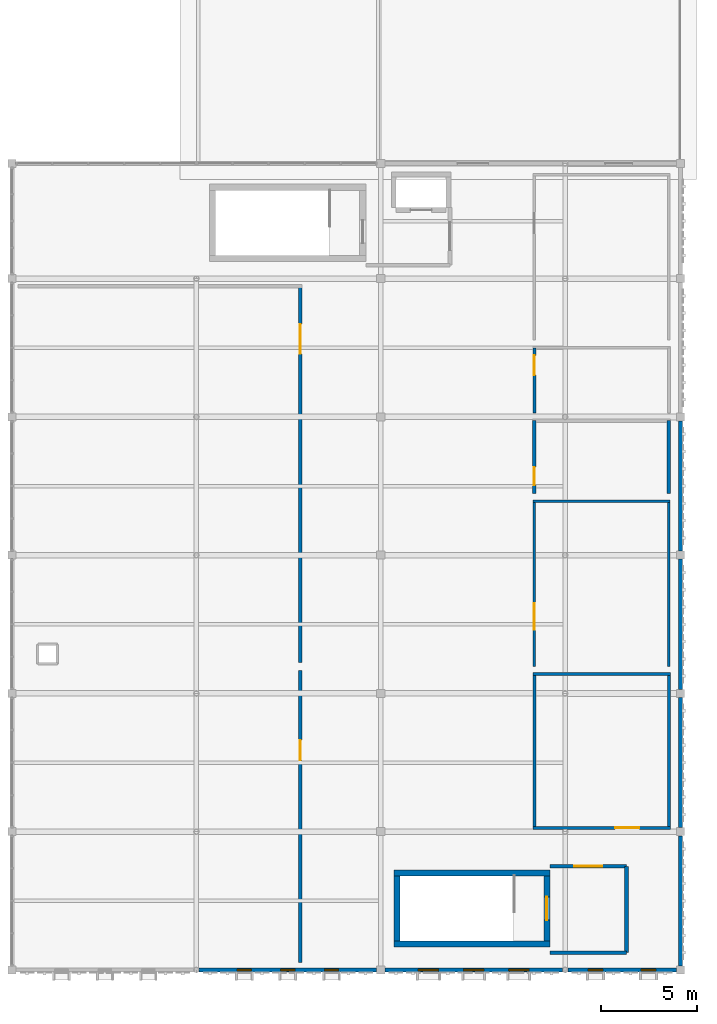
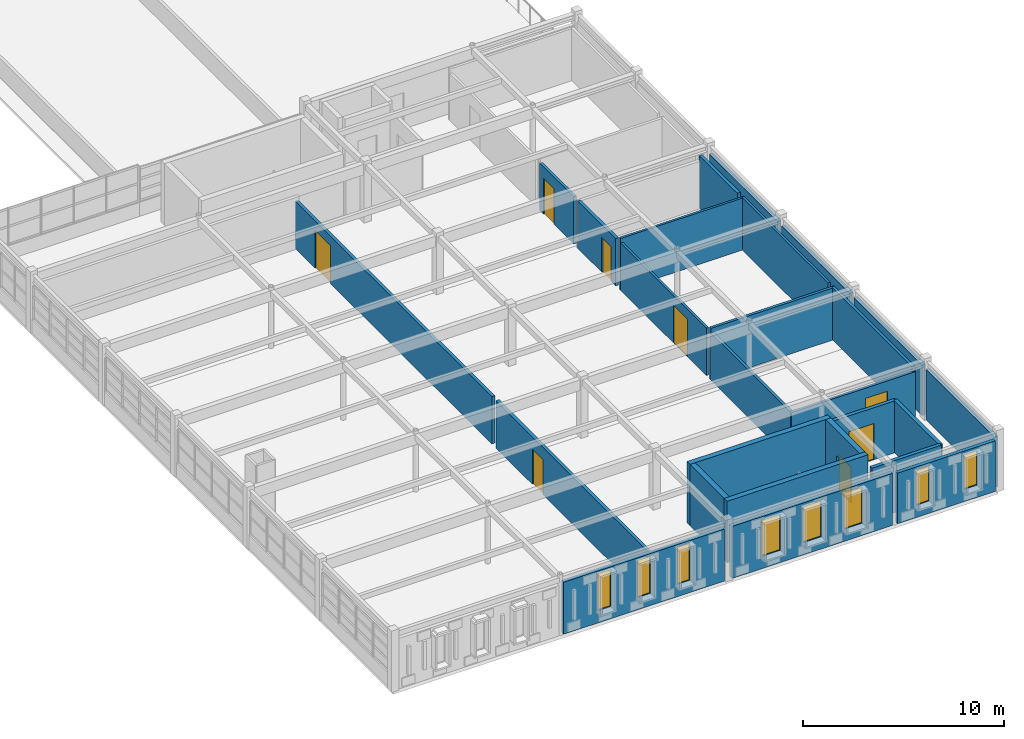
# One storey, part 16 of 25: 26 walls, 8 doors, 8 windows, 16 openings.
"""IFC4 building model written with IfcOpenShell, lengths in metres."""

from ifc_helpers import new_model, si_unit, direction, frame, frame_2d, origin, place, context, subcontext, project, spatial, rectangle, extrude, material, layer, layer_set, type_object, element, fill, save


model = new_model("IFC4")

# Units and contexts
model_context = context("Model", 3, precision=1e-05, world=origin(), true_north=direction((0.0, 1.0)))
body_context = subcontext(model_context, "Body", "Model", "MODEL_VIEW")
ifc_project = project(units=[si_unit("LENGTHUNIT", "METRE"), si_unit("AREAUNIT", "SQUARE_METRE"), si_unit("VOLUMEUNIT", "CUBIC_METRE"), si_unit("PLANEANGLEUNIT", "RADIAN"), si_unit("MASSUNIT", "GRAM", prefix="KILO")], contexts=[model_context])

# Site, building, storey
site_placement = place(None, origin())
site = spatial("IfcSite", under=ifc_project, at=site_placement, CompositionType="ELEMENT")
building_placement = place(site_placement, origin())
building = spatial("IfcBuilding", under=site, at=building_placement, Name="Nzembalo Square Collegiate School", CompositionType="ELEMENT")
storey_placement = place(building_placement, frame((0.0, 0.0, 21.080078125)))
storey = spatial("IfcBuildingStorey", under=building, at=storey_placement, Name="L05", CompositionType="ELEMENT", Elevation=21.080078125)

# Walls
ifc_material_1 = material(Name="Concrete C40/50", Category="concrete")
ifc_layer_1 = layer(ifc_material_1, 0.300048828125, Name="Concrete C40/50")
ifc_layer_set_1 = layer_set([ifc_layer_1], Name="Concrete C40/50")
wall_type_1 = type_object("IfcWallType", Name="SW02", PredefinedType="SHEAR", material=ifc_layer_set_1)
wall_1_placement = place(storey_placement, frame((150.85009765625, 9.89990234375, 0.0), z_axis=(0.0, 0.0, 1.0), x_axis=(0.0, 1.0, 0.0)))
element("IfcWall", 1, at=wall_1_placement, inside=storey, type_object=wall_type_1, Name="Core C6 stair shear wall W L05", PredefinedType="SHEAR", context=body_context, shape_type="SweptSolid", body=[
    extrude(rectangle(XDim=3.400146484375, YDim=0.300048828125, at=frame_2d((1.7001953125, 0.0))), origin(), (0.0, 0.0, 1.0), 3.739990234375),
])
for number, where, z_axis, x_axis, name in (
    (2, (150.699951171875, 9.75, 0.0), (0.0, 0.0, 1.0), (1.0, 0.0, 0.0), "Core C6 stair shear wall S L05"),
    (3, (150.699951171875, 13.449951171875, 0.0), (0.0, 0.0, 1.0), (1.0, 0.0, 0.0), "Core C6 stair shear wall N L05"),
):
    element("IfcWall", number, at=place(storey_placement, frame(where, z_axis=z_axis, x_axis=x_axis)), inside=storey, type_object=wall_type_1, Name=name, PredefinedType="SHEAR", context=body_context, shape_type="SweptSolid", body=[
        extrude(rectangle(XDim=8.10009765625, YDim=0.300048828125, at=frame_2d((4.050048828125, 0.0))), origin(), (0.0, 0.0, 1.0), 3.739990234375),
    ])

# Wall, opening, door
wall_2_placement = place(storey_placement, frame((158.64990234375, 9.89990234375, 0.0), z_axis=(0.0, 0.0, 1.0), x_axis=(0.0, 1.0, 0.0)))
wall_2 = element("IfcWall", 4, at=wall_2_placement, inside=storey, type_object=wall_type_1, Name="Core C6 stair shear wall E L05", PredefinedType="SHEAR", context=body_context, shape_type="SweptSolid", body=[
    extrude(rectangle(XDim=3.400146484375, YDim=0.300048828125, at=frame_2d((1.7001953125, 0.0))), origin(), (0.0, 0.0, 1.0), 3.739990234375),
])
opening_1_placement = place(wall_2_placement, frame((1.10009765625, 0.0, 0.0)))
opening_1 = element("IfcOpeningElement", 5, at=opening_1_placement, cuts=wall_2, Name="Opening FD-068", PredefinedType="OPENING", context=body_context, shape_type="SweptSolid", body=[
    extrude(rectangle(XDim=1.199951171875, YDim=2.199951171875, at=frame_2d((0.60009765625, 1.10009765625))), frame((0.0, 0.16015625, 0.0), z_axis=(0.0, -1.0, 0.0), x_axis=(1.0, 0.0, 0.0)), (0.0, 0.0, 1.0), 0.320068359375),
])
ifc_material_2 = material(Name="Fire-rated steel acoustic door", Category="steel")
door_type_1 = type_object("IfcDoorType", Name="FD01", OperationType="NOTDEFINED", PredefinedType="DOOR", material=ifc_material_2)
door_1_placement = place(opening_1_placement, origin())
door_1 = element("IfcDoor", 6, at=door_1_placement, inside=storey, type_object=door_type_1, Name="Stair fire door FD-068", OperationType="SINGLE_SWING_RIGHT", OverallHeight=2.199951171875, OverallWidth=1.199951171875, PredefinedType="DOOR", context=body_context, shape_type="SweptSolid", body=[
    extrude(rectangle(XDim=1.199951171875, YDim=2.199951171875, at=frame_2d((0.60009765625, 1.10009765625))), frame((0.0, 0.02490234375, 0.0), z_axis=(0.0, -1.0, 0.0), x_axis=(1.0, 0.0, 0.0)), (0.0, 0.0, 1.0), 0.050048828125),
])
fill(opening_1, door_1)

# Walls
ifc_material_3 = material(Name="CLT CL24", Category="wood")
ifc_layer_2 = layer(ifc_material_3, 0.215087890625, Name="CLT CL24")
ifc_layer_set_2 = layer_set([ifc_layer_2], Name="CLT CL24")
wall_type_2 = type_object("IfcWallType", Name="W08", PredefinedType="SOLIDWALL", material=ifc_layer_set_2)
for number, where, z_axis, x_axis, name in (
    (7, (165.60009765625, 8.612060546875, 0.0), (0.0, 0.0, 1.0), (0.0, 1.0, 0.0), "Exterior wall W08 L05"),
    (8, (165.60009765625, 15.81201171875, 0.0), (0.0, 0.0, 1.0), (0.0, 1.0, 0.0), "Exterior wall W08 L05"),
):
    element("IfcWall", number, at=place(storey_placement, frame(where, z_axis=z_axis, x_axis=x_axis)), inside=storey, type_object=wall_type_2, Name=name, PredefinedType="SOLIDWALL", context=body_context, shape_type="SweptSolid", body=[
        extrude(rectangle(XDim=6.77587890625, YDim=0.215087890625, at=frame_2d((3.387939453125, 0.0))), origin(), (0.0, 0.0, 1.0), 3.073974609375),
    ])
for number, where, z_axis, x_axis, name in (
    (9, (165.60009765625, 23.011962890625, 0.0), (0.0, 0.0, 1.0), (0.0, 1.0, 0.0), "Exterior wall W08 L05"),
    (10, (165.60009765625, 30.2119140625, 0.0), (0.0, 0.0, 1.0), (0.0, 1.0, 0.0), "Exterior wall W08 L05"),
):
    element("IfcWall", number, at=place(storey_placement, frame(where, z_axis=z_axis, x_axis=x_axis)), inside=storey, type_object=wall_type_2, Name=name, PredefinedType="SOLIDWALL", context=body_context, shape_type="SweptSolid", body=[
        extrude(rectangle(XDim=6.776123046875, YDim=0.215087890625, at=frame_2d((3.38818359375, 0.0))), origin(), (0.0, 0.0, 1.0), 3.073974609375),
    ])

# Wall, openings, windows
wall_3_placement = place(storey_placement, frame((140.53857421875, 8.39990234375, 0.0), z_axis=(0.0, 0.0, 1.0), x_axis=(1.0, 0.0, 0.0)))
wall_3 = element("IfcWall", 11, at=wall_3_placement, inside=storey, type_object=wall_type_2, Name="Exterior wall W08 L05", PredefinedType="SOLIDWALL", context=body_context, shape_type="SweptSolid", body=[
    extrude(rectangle(XDim=9.24951171875, YDim=0.215087890625, at=frame_2d((4.624755859375, 0.0))), origin(), (0.0, 0.0, 1.0), 3.163818359375),
])
opening_2_placement = place(wall_3_placement, frame((1.992431640625, 0.0, 0.75)))
opening_2 = element("IfcOpeningElement", 12, at=opening_2_placement, cuts=wall_3, Name="Opening WN-L05-1102", PredefinedType="OPENING", context=body_context, shape_type="SweptSolid", body=[
    extrude(rectangle(XDim=0.719970703125, YDim=2.239990234375, at=frame_2d((0.35986328125, 1.1201171875))), frame((0.0, 0.11767578125, 0.0), z_axis=(0.0, -1.0, 0.0), x_axis=(1.0, 0.0, 0.0)), (0.0, 0.0, 1.0), 0.235107421875),
])
opening_3_placement = place(wall_3_placement, frame((4.2646484375, 0.0, 0.75)))
opening_3 = element("IfcOpeningElement", 13, at=opening_3_placement, cuts=wall_3, Name="Opening WN-L05-1103", PredefinedType="OPENING", context=body_context, shape_type="SweptSolid", body=[
    extrude(rectangle(XDim=0.719970703125, YDim=2.239990234375, at=frame_2d((0.35986328125, 1.1201171875))), frame((0.0, 0.11767578125, 0.0), z_axis=(0.0, -1.0, 0.0), x_axis=(1.0, 0.0, 0.0)), (0.0, 0.0, 1.0), 0.235107421875),
])
opening_4_placement = place(wall_3_placement, frame((6.537109375, 0.0, 0.75)))
opening_4 = element("IfcOpeningElement", 14, at=opening_4_placement, cuts=wall_3, Name="Opening WN-L05-1104", PredefinedType="OPENING", context=body_context, shape_type="SweptSolid", body=[
    extrude(rectangle(XDim=0.719970703125, YDim=2.239990234375, at=frame_2d((0.35986328125, 1.1201171875))), frame((0.0, 0.11767578125, 0.0), z_axis=(0.0, -1.0, 0.0), x_axis=(1.0, 0.0, 0.0)), (0.0, 0.0, 1.0), 0.235107421875),
])
ifc_material_4 = material(Name="Powder-coated aluminium and low-E double glazing", Category="aluminium")
window_type_1 = type_object("IfcWindowType", Name="WN67", PartitioningType="SINGLE_PANEL", PredefinedType="WINDOW", material=ifc_material_4)
window_1_placement = place(opening_2_placement, origin())
window_1 = element("IfcWindow", 15, at=window_1_placement, inside=storey, type_object=window_type_1, Name="Lancet window WN-L05-1102", OverallHeight=2.239990234375, OverallWidth=0.719970703125, PartitioningType="SINGLE_PANEL", PredefinedType="WINDOW", context=body_context, shape_type="SweptSolid", body=[
    extrude(rectangle(XDim=0.719970703125, YDim=2.239990234375, at=frame_2d((0.35986328125, 1.1201171875))), frame((0.0, 0.030029296875, 0.0), z_axis=(0.0, -1.0, 0.0), x_axis=(1.0, 0.0, 0.0)), (0.0, 0.0, 1.0), 0.06005859375),
])
fill(opening_2, window_1)
window_2_placement = place(opening_3_placement, origin())
window_2 = element("IfcWindow", 16, at=window_2_placement, inside=storey, type_object=window_type_1, Name="Lancet window WN-L05-1103", OverallHeight=2.239990234375, OverallWidth=0.719970703125, PartitioningType="SINGLE_PANEL", PredefinedType="WINDOW", context=body_context, shape_type="SweptSolid", body=[
    extrude(rectangle(XDim=0.719970703125, YDim=2.239990234375, at=frame_2d((0.35986328125, 1.1201171875))), frame((0.0, 0.030029296875, 0.0), z_axis=(0.0, -1.0, 0.0), x_axis=(1.0, 0.0, 0.0)), (0.0, 0.0, 1.0), 0.06005859375),
])
fill(opening_3, window_2)
window_3_placement = place(opening_4_placement, origin())
window_3 = element("IfcWindow", 17, at=window_3_placement, inside=storey, type_object=window_type_1, Name="Lancet window WN-L05-1104", OverallHeight=2.239990234375, OverallWidth=0.719970703125, PartitioningType="SINGLE_PANEL", PredefinedType="WINDOW", context=body_context, shape_type="SweptSolid", body=[
    extrude(rectangle(XDim=0.719970703125, YDim=2.239990234375, at=frame_2d((0.35986328125, 1.1201171875))), frame((0.0, 0.030029296875, 0.0), z_axis=(0.0, -1.0, 0.0), x_axis=(1.0, 0.0, 0.0)), (0.0, 0.0, 1.0), 0.06005859375),
])
fill(opening_4, window_3)

wall_4_placement = place(storey_placement, frame((150.2119140625, 8.39990234375, 0.0), z_axis=(0.0, 0.0, 1.0), x_axis=(1.0, 0.0, 0.0)))
wall_4 = element("IfcWall", 18, at=wall_4_placement, inside=storey, type_object=wall_type_2, Name="Exterior wall W08 L05", PredefinedType="SOLIDWALL", context=body_context, shape_type="SweptSolid", body=[
    extrude(rectangle(XDim=9.24951171875, YDim=0.215087890625, at=frame_2d((4.624755859375, 0.0))), origin(), (0.0, 0.0, 1.0), 3.163818359375),
])
opening_5_placement = place(wall_4_placement, frame((1.75244140625, 0.0, 0.75)))
opening_5 = element("IfcOpeningElement", 19, at=opening_5_placement, cuts=wall_4, Name="Opening WN-L05-1105", PredefinedType="OPENING", context=body_context, shape_type="SweptSolid", body=[
    extrude(rectangle(XDim=1.0400390625, YDim=2.179931640625, at=frame_2d((0.52001953125, 1.08984375))), frame((0.0, 0.11767578125, 0.0), z_axis=(0.0, -1.0, 0.0), x_axis=(1.0, 0.0, 0.0)), (0.0, 0.0, 1.0), 0.235107421875),
])
opening_6_placement = place(wall_4_placement, frame((4.104736328125, 0.0, 0.75)))
opening_6 = element("IfcOpeningElement", 20, at=opening_6_placement, cuts=wall_4, Name="Opening WN-L05-1106", PredefinedType="OPENING", context=body_context, shape_type="SweptSolid", body=[
    extrude(rectangle(XDim=1.0400390625, YDim=2.179931640625, at=frame_2d((0.52001953125, 1.08984375))), frame((0.0, 0.11767578125, 0.0), z_axis=(0.0, -1.0, 0.0), x_axis=(1.0, 0.0, 0.0)), (0.0, 0.0, 1.0), 0.235107421875),
])
opening_7_placement = place(wall_4_placement, frame((6.45703125, 0.0, 0.75)))
opening_7 = element("IfcOpeningElement", 21, at=opening_7_placement, cuts=wall_4, Name="Opening WN-L05-1107", PredefinedType="OPENING", context=body_context, shape_type="SweptSolid", body=[
    extrude(rectangle(XDim=1.0400390625, YDim=2.179931640625, at=frame_2d((0.52001953125, 1.08984375))), frame((0.0, 0.11767578125, 0.0), z_axis=(0.0, -1.0, 0.0), x_axis=(1.0, 0.0, 0.0)), (0.0, 0.0, 1.0), 0.235107421875),
])
ifc_material_5 = material(Name="Powder-coated aluminium and low-E double glazing", Category="aluminium")
window_type_2 = type_object("IfcWindowType", Name="WN70", PartitioningType="SINGLE_PANEL", PredefinedType="WINDOW", material=ifc_material_5)
window_4_placement = place(opening_5_placement, origin())
window_4 = element("IfcWindow", 22, at=window_4_placement, inside=storey, type_object=window_type_2, Name="Lancet window WN-L05-1105", OverallHeight=2.179931640625, OverallWidth=1.0400390625, PartitioningType="SINGLE_PANEL", PredefinedType="WINDOW", context=body_context, shape_type="SweptSolid", body=[
    extrude(rectangle(XDim=1.0400390625, YDim=2.179931640625, at=frame_2d((0.52001953125, 1.08984375))), frame((0.0, 0.030029296875, 0.0), z_axis=(0.0, -1.0, 0.0), x_axis=(1.0, 0.0, 0.0)), (0.0, 0.0, 1.0), 0.06005859375),
])
fill(opening_5, window_4)
window_5_placement = place(opening_6_placement, origin())
window_5 = element("IfcWindow", 23, at=window_5_placement, inside=storey, type_object=window_type_2, Name="Lancet window WN-L05-1106", OverallHeight=2.179931640625, OverallWidth=1.0400390625, PartitioningType="SINGLE_PANEL", PredefinedType="WINDOW", context=body_context, shape_type="SweptSolid", body=[
    extrude(rectangle(XDim=1.0400390625, YDim=2.179931640625, at=frame_2d((0.52001953125, 1.08984375))), frame((0.0, 0.030029296875, 0.0), z_axis=(0.0, -1.0, 0.0), x_axis=(1.0, 0.0, 0.0)), (0.0, 0.0, 1.0), 0.06005859375),
])
fill(opening_6, window_5)
window_6_placement = place(opening_7_placement, origin())
window_6 = element("IfcWindow", 24, at=window_6_placement, inside=storey, type_object=window_type_2, Name="Lancet window WN-L05-1107", OverallHeight=2.179931640625, OverallWidth=1.0400390625, PartitioningType="SINGLE_PANEL", PredefinedType="WINDOW", context=body_context, shape_type="SweptSolid", body=[
    extrude(rectangle(XDim=1.0400390625, YDim=2.179931640625, at=frame_2d((0.52001953125, 1.08984375))), frame((0.0, 0.030029296875, 0.0), z_axis=(0.0, -1.0, 0.0), x_axis=(1.0, 0.0, 0.0)), (0.0, 0.0, 1.0), 0.06005859375),
])
fill(opening_7, window_6)

wall_5_placement = place(storey_placement, frame((159.738525390625, 8.39990234375, 0.0), z_axis=(0.0, 0.0, 1.0), x_axis=(1.0, 0.0, 0.0)))
wall_5 = element("IfcWall", 25, at=wall_5_placement, inside=storey, type_object=wall_type_2, Name="Exterior wall W08 L05", PredefinedType="SOLIDWALL", context=body_context, shape_type="SweptSolid", body=[
    extrude(rectangle(XDim=5.6494140625, YDim=0.215087890625, at=frame_2d((2.82470703125, 0.0))), origin(), (0.0, 0.0, 1.0), 3.073974609375),
])
opening_8_placement = place(wall_5_placement, frame((1.06982421875, 0.0, 0.75)))
opening_8 = element("IfcOpeningElement", 26, at=opening_8_placement, cuts=wall_5, Name="Opening WN-L05-1111", PredefinedType="OPENING", context=body_context, shape_type="SweptSolid", body=[
    extrude(rectangle(XDim=0.75, YDim=2.10009765625, at=frame_2d((0.375, 1.050048828125))), frame((0.0, 0.11767578125, 0.0), z_axis=(0.0, -1.0, 0.0), x_axis=(1.0, 0.0, 0.0)), (0.0, 0.0, 1.0), 0.235107421875),
])
opening_9_placement = place(wall_5_placement, frame((3.82958984375, 0.0, 0.75)))
opening_9 = element("IfcOpeningElement", 27, at=opening_9_placement, cuts=wall_5, Name="Opening WN-L05-1112", PredefinedType="OPENING", context=body_context, shape_type="SweptSolid", body=[
    extrude(rectangle(XDim=0.75, YDim=2.10009765625, at=frame_2d((0.375, 1.050048828125))), frame((0.0, 0.11767578125, 0.0), z_axis=(0.0, -1.0, 0.0), x_axis=(1.0, 0.0, 0.0)), (0.0, 0.0, 1.0), 0.235107421875),
])
ifc_material_6 = material(Name="Powder-coated aluminium and low-E double glazing", Category="aluminium")
window_type_3 = type_object("IfcWindowType", Name="WN02", PartitioningType="SINGLE_PANEL", PredefinedType="WINDOW", material=ifc_material_6)
window_7_placement = place(opening_8_placement, origin())
window_7 = element("IfcWindow", 28, at=window_7_placement, inside=storey, type_object=window_type_3, Name="Lancet window WN-L05-1111", OverallHeight=2.10009765625, OverallWidth=0.75, PartitioningType="SINGLE_PANEL", PredefinedType="WINDOW", context=body_context, shape_type="SweptSolid", body=[
    extrude(rectangle(XDim=0.75, YDim=2.10009765625, at=frame_2d((0.375, 1.050048828125))), frame((0.0, 0.030029296875, 0.0), z_axis=(0.0, -1.0, 0.0), x_axis=(1.0, 0.0, 0.0)), (0.0, 0.0, 1.0), 0.06005859375),
])
fill(opening_8, window_7)
window_8_placement = place(opening_9_placement, origin())
window_8 = element("IfcWindow", 29, at=window_8_placement, inside=storey, type_object=window_type_3, Name="Lancet window WN-L05-1112", OverallHeight=2.10009765625, OverallWidth=0.75, PartitioningType="SINGLE_PANEL", PredefinedType="WINDOW", context=body_context, shape_type="SweptSolid", body=[
    extrude(rectangle(XDim=0.75, YDim=2.10009765625, at=frame_2d((0.375, 1.050048828125))), frame((0.0, 0.030029296875, 0.0), z_axis=(0.0, -1.0, 0.0), x_axis=(1.0, 0.0, 0.0)), (0.0, 0.0, 1.0), 0.06005859375),
])
fill(opening_9, window_8)

# Walls
ifc_material_7 = material(Name="Concrete blockwork C25/30", Category="masonry")
ifc_layer_3 = layer(ifc_material_7, 0.199951171875, Name="Concrete blockwork C25/30")
ifc_layer_set_3 = layer_set([ifc_layer_3], Name="Concrete blockwork C25/30")
wall_type_3 = type_object("IfcWallType", Name="W11", PredefinedType="PARTITIONING", material=ifc_layer_set_3)
wall_6_placement = place(storey_placement, frame((162.800048828125, 9.300048828125, 0.0), z_axis=(0.0, 0.0, 1.0), x_axis=(0.0, 1.0, 0.0)))
element("IfcWall", 30, at=wall_6_placement, inside=storey, type_object=wall_type_3, Name="Core C6 EI 60 lobby wall E L05", PredefinedType="PARTITIONING", context=body_context, shape_type="SweptSolid", body=[
    extrude(rectangle(XDim=4.5, YDim=0.199951171875, at=frame_2d((2.25, 0.0))), origin(), (0.0, 0.0, 1.0), 3.163818359375),
])
wall_7_placement = place(storey_placement, frame((158.800048828125, 9.300048828125, 0.0), z_axis=(0.0, 0.0, 1.0), x_axis=(1.0, 0.0, 0.0)))
element("IfcWall", 31, at=wall_7_placement, inside=storey, type_object=wall_type_3, Name="Core C6 EI 60 lobby wall S L05", PredefinedType="PARTITIONING", context=body_context, shape_type="SweptSolid", body=[
    extrude(rectangle(XDim=4.0, YDim=0.199951171875, at=frame_2d((2.0, 0.0))), origin(), (0.0, 0.0, 1.0), 3.163818359375),
])

# Wall, opening, door
wall_8_placement = place(storey_placement, frame((158.800048828125, 13.800048828125, 0.0), z_axis=(0.0, 0.0, 1.0), x_axis=(1.0, 0.0, 0.0)))
wall_8 = element("IfcWall", 32, at=wall_8_placement, inside=storey, type_object=wall_type_3, Name="Core C6 EI 60 lobby wall N L05", PredefinedType="PARTITIONING", context=body_context, shape_type="SweptSolid", body=[
    extrude(rectangle(XDim=4.0, YDim=0.199951171875, at=frame_2d((2.0, 0.0))), origin(), (0.0, 0.0, 1.0), 3.163818359375),
])
opening_10_placement = place(wall_8_placement, frame((1.27490234375, 0.0, 0.0)))
opening_10 = element("IfcOpeningElement", 33, at=opening_10_placement, cuts=wall_8, Name="Opening FD-069", PredefinedType="OPENING", context=body_context, shape_type="SweptSolid", body=[
    extrude(rectangle(XDim=1.449951171875, YDim=2.199951171875, at=frame_2d((0.72509765625, 1.10009765625))), frame((0.0, 0.10986328125, 0.0), z_axis=(0.0, -1.0, 0.0), x_axis=(1.0, 0.0, 0.0)), (0.0, 0.0, 1.0), 0.219970703125),
])
ifc_material_8 = material(Name="Fire-rated double lobby door")
door_type_2 = type_object("IfcDoorType", Name="FD02", OperationType="DOUBLE_DOOR_SINGLE_SWING", PredefinedType="DOOR", material=ifc_material_8)
door_2_placement = place(opening_10_placement, origin())
door_2 = element("IfcDoor", 34, at=door_2_placement, inside=storey, type_object=door_type_2, Name="Protected lobby fire door FD-069", OperationType="DOUBLE_DOOR_SINGLE_SWING", OverallHeight=2.199951171875, OverallWidth=1.449951171875, PredefinedType="DOOR", context=body_context, shape_type="SweptSolid", body=[
    extrude(rectangle(XDim=1.449951171875, YDim=2.199951171875, at=frame_2d((0.72509765625, 1.10009765625))), frame((0.0, 0.02490234375, 0.0), z_axis=(0.0, -1.0, 0.0), x_axis=(1.0, 0.0, 0.0)), (0.0, 0.0, 1.0), 0.050048828125),
])
fill(opening_10, door_2)

ifc_material_9 = material(Name="Acoustic gypsum and steel stud", Category="steel")
ifc_layer_4 = layer(ifc_material_9, 0.175048828125, Name="Acoustic gypsum and steel stud")
ifc_layer_set_4 = layer_set([ifc_layer_4], Name="Acoustic gypsum and steel stud")
wall_type_4 = type_object("IfcWallType", Name="W14", PredefinedType="PARTITIONING", material=ifc_layer_set_4)
wall_9_placement = place(storey_placement, frame((145.800048828125, 24.39990234375, 0.0), z_axis=(0.0, 0.0, 1.0), x_axis=(0.0, 1.0, 0.0)))
wall_9 = element("IfcWall", 35, at=wall_9_placement, inside=storey, type_object=wall_type_4, Name="Interior partition W14 L05-014-E", PredefinedType="PARTITIONING", context=body_context, shape_type="SweptSolid", body=[
    extrude(rectangle(XDim=19.60009765625, YDim=0.175048828125, at=frame_2d((9.800048828125, 0.0))), origin(), (0.0, 0.0, 1.0), 2.884033203125),
])
opening_11_placement = place(wall_9_placement, frame((16.075927734375, 0.0, 0.0)))
opening_11 = element("IfcOpeningElement", 36, at=opening_11_placement, cuts=wall_9, Name="Opening D-L05-108", PredefinedType="OPENING", context=body_context, shape_type="SweptSolid", body=[
    extrude(rectangle(XDim=1.56005859375, YDim=2.300048828125, at=frame_2d((0.780029296875, 1.14990234375))), frame((0.0, 0.09765625, 0.0), z_axis=(0.0, -1.0, 0.0), x_axis=(1.0, 0.0, 0.0)), (0.0, 0.0, 1.0), 0.195068359375),
])
ifc_material_10 = material(Name="Glazed timber library entrance door", Category="wood")
door_type_3 = type_object("IfcDoorType", Name="D06", OperationType="DOUBLE_DOOR_SINGLE_SWING", PredefinedType="DOOR", material=ifc_material_10)
door_3_placement = place(opening_11_placement, origin())
door_3 = element("IfcDoor", 37, at=door_3_placement, inside=storey, type_object=door_type_3, Name="Interior door D-L05-108 (Senior Collegiate Library Reading Pavilion)", OperationType="DOUBLE_DOOR_SINGLE_SWING", OverallHeight=2.300048828125, OverallWidth=1.56005859375, PredefinedType="DOOR", context=body_context, shape_type="SweptSolid", body=[
    extrude(rectangle(XDim=1.56005859375, YDim=2.300048828125, at=frame_2d((0.780029296875, 1.14990234375))), frame((0.0, 0.02490234375, 0.0), z_axis=(0.0, -1.0, 0.0), x_axis=(1.0, 0.0, 0.0)), (0.0, 0.0, 1.0), 0.050048828125),
])
fill(opening_11, door_3)

wall_10_placement = place(storey_placement, frame((158.0, 33.199951171875, 0.0), z_axis=(0.0, 0.0, 1.0), x_axis=(0.0, 1.0, 0.0)))
wall_10 = element("IfcWall", 38, at=wall_10_placement, inside=storey, type_object=wall_type_4, Name="Interior partition W14 L05-017-W", PredefinedType="PARTITIONING", context=body_context, shape_type="SweptSolid", body=[
    extrude(rectangle(XDim=3.800048828125, YDim=0.175048828125, at=frame_2d((1.89990234375, 0.0))), origin(), (0.0, 0.0, 1.0), 2.884033203125),
])
opening_12_placement = place(wall_10_placement, frame((0.446044921875, 0.0, 0.0)))
opening_12 = element("IfcOpeningElement", 39, at=opening_12_placement, cuts=wall_10, Name="Opening D-L05-111", PredefinedType="OPENING", context=body_context, shape_type="SweptSolid", body=[
    extrude(rectangle(XDim=0.93994140625, YDim=2.10009765625, at=frame_2d((0.469970703125, 1.050048828125))), frame((0.0, 0.09765625, 0.0), z_axis=(0.0, -1.0, 0.0), x_axis=(1.0, 0.0, 0.0)), (0.0, 0.0, 1.0), 0.195068359375),
])
ifc_material_11 = material(Name="Hardwood office door", Category="wood")
door_type_4 = type_object("IfcDoorType", Name="D07", OperationType="NOTDEFINED", PredefinedType="DOOR", material=ifc_material_11)
door_4_placement = place(opening_12_placement, origin())
door_4 = element("IfcDoor", 40, at=door_4_placement, inside=storey, type_object=door_type_4, Name="Interior door D-L05-111 (University Guidance Office)", OperationType="SINGLE_SWING_RIGHT", OverallHeight=2.10009765625, OverallWidth=0.93994140625, PredefinedType="DOOR", context=body_context, shape_type="SweptSolid", body=[
    extrude(rectangle(XDim=0.93994140625, YDim=2.10009765625, at=frame_2d((0.469970703125, 1.050048828125))), frame((0.0, 0.02490234375, 0.0), z_axis=(0.0, -1.0, 0.0), x_axis=(1.0, 0.0, 0.0)), (0.0, 0.0, 1.0), 0.050048828125),
])
fill(opening_12, door_4)

# Wall
wall_11_placement = place(storey_placement, frame((165.0, 33.199951171875, 0.0), z_axis=(0.0, 0.0, 1.0), x_axis=(0.0, 1.0, 0.0)))
element("IfcWall", 41, at=wall_11_placement, inside=storey, type_object=wall_type_4, Name="Interior partition W14 L05-017-E", PredefinedType="PARTITIONING", context=body_context, shape_type="SweptSolid", body=[
    extrude(rectangle(XDim=3.800048828125, YDim=0.175048828125, at=frame_2d((1.89990234375, 0.0))), origin(), (0.0, 0.0, 1.0), 3.183837890625),
])

# Wall, opening, door
ifc_material_12 = material(Name="Acoustic double-board stud")
ifc_layer_5 = layer(ifc_material_12, 0.155029296875, Name="Acoustic double-board stud")
ifc_layer_set_5 = layer_set([ifc_layer_5], Name="Acoustic double-board stud")
wall_type_5 = type_object("IfcWallType", Name="W16", PredefinedType="PARTITIONING", material=ifc_layer_set_5)
wall_12_placement = place(storey_placement, frame((157.922607421875, 15.800048828125, 0.0), z_axis=(0.0, 0.0, 1.0), x_axis=(1.0, 0.0, 0.0)))
wall_12 = element("IfcWall", 42, at=wall_12_placement, inside=storey, type_object=wall_type_5, Name="Interior partition W16 L05-015-S", PredefinedType="PARTITIONING", context=body_context, shape_type="SweptSolid", body=[
    extrude(rectangle(XDim=7.15478515625, YDim=0.155029296875, at=frame_2d((3.577392578125, 0.0))), origin(), (0.0, 0.0, 1.0), 2.884033203125),
])
opening_13_placement = place(wall_12_placement, frame((4.282470703125, 0.0, 0.0)))
opening_13 = element("IfcOpeningElement", 43, at=opening_13_placement, cuts=wall_12, Name="Opening D-L05-109", PredefinedType="OPENING", context=body_context, shape_type="SweptSolid", body=[
    extrude(rectangle(XDim=1.260009765625, YDim=2.260009765625, at=frame_2d((0.6298828125, 1.1298828125))), frame((0.0, 0.08740234375, 0.0), z_axis=(0.0, -1.0, 0.0), x_axis=(1.0, 0.0, 0.0)), (0.0, 0.0, 1.0), 0.175048828125),
])
ifc_material_13 = material(Name="High-STC acoustic music door")
door_type_5 = type_object("IfcDoorType", Name="D20", OperationType="NOTDEFINED", PredefinedType="DOOR", material=ifc_material_13)
door_5_placement = place(opening_13_placement, origin())
door_5 = element("IfcDoor", 44, at=door_5_placement, inside=storey, type_object=door_type_5, Name="Interior door D-L05-109 (Sixth-Form Humanities Seminar Room 5A)", OperationType="SINGLE_SWING_LEFT", OverallHeight=2.260009765625, OverallWidth=1.260009765625, PredefinedType="DOOR", context=body_context, shape_type="SweptSolid", body=[
    extrude(rectangle(XDim=1.260009765625, YDim=2.260009765625, at=frame_2d((0.6298828125, 1.1298828125))), frame((0.0, 0.02490234375, 0.0), z_axis=(0.0, -1.0, 0.0), x_axis=(1.0, 0.0, 0.0)), (0.0, 0.0, 1.0), 0.050048828125),
])
fill(opening_13, door_5)

# Walls
wall_13_placement = place(storey_placement, frame((157.922607421875, 23.800048828125, 0.0), z_axis=(0.0, 0.0, 1.0), x_axis=(1.0, 0.0, 0.0)))
element("IfcWall", 45, at=wall_13_placement, inside=storey, type_object=wall_type_5, Name="Interior partition W16 L05-015-N", PredefinedType="PARTITIONING", context=body_context, shape_type="SweptSolid", body=[
    extrude(rectangle(XDim=7.15478515625, YDim=0.155029296875, at=frame_2d((3.577392578125, 0.0))), origin(), (0.0, 0.0, 1.0), 3.163818359375),
])
wall_14_placement = place(storey_placement, frame((158.0, 15.800048828125, 0.0), z_axis=(0.0, 0.0, 1.0), x_axis=(0.0, 1.0, 0.0)))
element("IfcWall", 46, at=wall_14_placement, inside=storey, type_object=wall_type_5, Name="Interior partition W16 L05-015-W", PredefinedType="PARTITIONING", context=body_context, shape_type="SweptSolid", body=[
    extrude(rectangle(XDim=8.0, YDim=0.155029296875, at=frame_2d((4.0, 0.0))), origin(), (0.0, 0.0, 1.0), 2.884033203125),
])
wall_15_placement = place(storey_placement, frame((165.0, 15.800048828125, 0.0), z_axis=(0.0, 0.0, 1.0), x_axis=(0.0, 1.0, 0.0)))
element("IfcWall", 47, at=wall_15_placement, inside=storey, type_object=wall_type_5, Name="Interior partition W16 L05-015-E", PredefinedType="PARTITIONING", context=body_context, shape_type="SweptSolid", body=[
    extrude(rectangle(XDim=8.0, YDim=0.155029296875, at=frame_2d((4.0, 0.0))), origin(), (0.0, 0.0, 1.0), 3.183837890625),
])

# Wall, opening, door
ifc_material_14 = material(Name="Acoustic double-board stud")
ifc_layer_6 = layer(ifc_material_14, 0.14990234375, Name="Acoustic double-board stud")
ifc_layer_set_6 = layer_set([ifc_layer_6], Name="Acoustic double-board stud")
wall_type_6 = type_object("IfcWallType", Name="W17", PredefinedType="PARTITIONING", material=ifc_layer_set_6)
wall_16_placement = place(storey_placement, frame((158.0, 37.39990234375, 0.0), z_axis=(0.0, 0.0, 1.0), x_axis=(0.0, 1.0, 0.0)))
wall_16 = element("IfcWall", 48, at=wall_16_placement, inside=storey, type_object=wall_type_6, Name="Interior partition W17 L05-018-W", PredefinedType="PARTITIONING", context=body_context, shape_type="SweptSolid", body=[
    extrude(rectangle(XDim=3.400146484375, YDim=0.14990234375, at=frame_2d((1.7001953125, 0.0))), origin(), (0.0, 0.0, 1.0), 2.884033203125),
])
opening_14_placement = place(wall_16_placement, frame((1.98193359375, 0.0, 0.0)))
opening_14 = element("IfcOpeningElement", 49, at=opening_14_placement, cuts=wall_16, Name="Opening D-L05-112", PredefinedType="OPENING", context=body_context, shape_type="SweptSolid", body=[
    extrude(rectangle(XDim=1.02001953125, YDim=2.179931640625, at=frame_2d((0.510009765625, 1.08984375))), frame((0.0, 0.0849609375, 0.0), z_axis=(0.0, -1.0, 0.0), x_axis=(1.0, 0.0, 0.0)), (0.0, 0.0, 1.0), 0.169921875),
])
ifc_material_15 = material(Name="Faculty workroom door")
door_type_6 = type_object("IfcDoorType", Name="D16", OperationType="NOTDEFINED", PredefinedType="DOOR", material=ifc_material_15)
door_6_placement = place(opening_14_placement, origin())
door_6 = element("IfcDoor", 50, at=door_6_placement, inside=storey, type_object=door_type_6, Name="Interior door D-L05-112 (Sixth-Form Tutors Staff Workroom)", OperationType="SINGLE_SWING_LEFT", OverallHeight=2.179931640625, OverallWidth=1.02001953125, PredefinedType="DOOR", context=body_context, shape_type="SweptSolid", body=[
    extrude(rectangle(XDim=1.02001953125, YDim=2.179931640625, at=frame_2d((0.510009765625, 1.08984375))), frame((0.0, 0.02490234375, 0.0), z_axis=(0.0, -1.0, 0.0), x_axis=(1.0, 0.0, 0.0)), (0.0, 0.0, 1.0), 0.050048828125),
])
fill(opening_14, door_6)

# Wall
ifc_material_16 = material(Name="Gypsum plasterboard stud")
ifc_layer_7 = layer(ifc_material_16, 0.1298828125, Name="Gypsum plasterboard stud")
ifc_layer_set_7 = layer_set([ifc_layer_7], Name="Gypsum plasterboard stud")
wall_type_7 = type_object("IfcWallType", Name="W20", PredefinedType="PARTITIONING", material=ifc_layer_set_7)
wall_17_placement = place(storey_placement, frame((157.93505859375, 32.800048828125, 0.0), z_axis=(0.0, 0.0, 1.0), x_axis=(1.0, 0.0, 0.0)))
element("IfcWall", 51, at=wall_17_placement, inside=storey, type_object=wall_type_7, Name="Interior partition W20 L05-016-N", PredefinedType="PARTITIONING", context=body_context, shape_type="SweptSolid", body=[
    extrude(rectangle(XDim=7.1298828125, YDim=0.1298828125, at=frame_2d((3.56494140625, 0.0))), origin(), (0.0, 0.0, 1.0), 3.163818359375),
])

# Wall, opening, door
wall_18_placement = place(storey_placement, frame((158.0, 24.199951171875, 0.0), z_axis=(0.0, 0.0, 1.0), x_axis=(0.0, 1.0, 0.0)))
wall_18 = element("IfcWall", 52, at=wall_18_placement, inside=storey, type_object=wall_type_7, Name="Interior partition W20 L05-016-W", PredefinedType="PARTITIONING", context=body_context, shape_type="SweptSolid", body=[
    extrude(rectangle(XDim=8.60009765625, YDim=0.1298828125, at=frame_2d((4.300048828125, 0.0))), origin(), (0.0, 0.0, 1.0), 2.884033203125),
])
opening_15_placement = place(wall_18_placement, frame((1.905029296875, 0.0, 0.0)))
opening_15 = element("IfcOpeningElement", 53, at=opening_15_placement, cuts=wall_18, Name="Opening D-L05-110", PredefinedType="OPENING", context=body_context, shape_type="SweptSolid", body=[
    extrude(rectangle(XDim=1.3798828125, YDim=2.280029296875, at=frame_2d((0.68994140625, 1.14013671875))), frame((0.0, 0.074951171875, 0.0), z_axis=(0.0, -1.0, 0.0), x_axis=(1.0, 0.0, 0.0)), (0.0, 0.0, 1.0), 0.14990234375),
])
ifc_material_17 = material(Name="Wide art studio double door")
door_type_7 = type_object("IfcDoorType", Name="D21", OperationType="DOUBLE_DOOR_SINGLE_SWING", PredefinedType="DOOR", material=ifc_material_17)
door_7_placement = place(opening_15_placement, origin())
door_7 = element("IfcDoor", 54, at=door_7_placement, inside=storey, type_object=door_type_7, Name="Interior door D-L05-110 (Sixth-Form Mathematics Classroom 5B)", OperationType="DOUBLE_DOOR_SINGLE_SWING", OverallHeight=2.280029296875, OverallWidth=1.3798828125, PredefinedType="DOOR", context=body_context, shape_type="SweptSolid", body=[
    extrude(rectangle(XDim=1.3798828125, YDim=2.280029296875, at=frame_2d((0.68994140625, 1.14013671875))), frame((0.0, 0.02490234375, 0.0), z_axis=(0.0, -1.0, 0.0), x_axis=(1.0, 0.0, 0.0)), (0.0, 0.0, 1.0), 0.050048828125),
])
fill(opening_15, door_7)

# Wall
wall_19_placement = place(storey_placement, frame((165.0, 24.199951171875, 0.0), z_axis=(0.0, 0.0, 1.0), x_axis=(0.0, 1.0, 0.0)))
element("IfcWall", 55, at=wall_19_placement, inside=storey, type_object=wall_type_7, Name="Interior partition W20 L05-016-E", PredefinedType="PARTITIONING", context=body_context, shape_type="SweptSolid", body=[
    extrude(rectangle(XDim=8.60009765625, YDim=0.1298828125, at=frame_2d((4.300048828125, 0.0))), origin(), (0.0, 0.0, 1.0), 3.183837890625),
])

# Wall, opening, door
ifc_material_18 = material(Name="High-mass acoustic blockwork", Category="masonry")
ifc_layer_8 = layer(ifc_material_18, 0.18505859375, Name="High-mass acoustic blockwork")
ifc_layer_set_8 = layer_set([ifc_layer_8], Name="High-mass acoustic blockwork")
wall_type_8 = type_object("IfcWallType", Name="W22", PredefinedType="PARTITIONING", material=ifc_layer_set_8)
wall_20_placement = place(storey_placement, frame((145.800048828125, 8.800048828125, 0.0), z_axis=(0.0, 0.0, 1.0), x_axis=(0.0, 1.0, 0.0)))
wall_20 = element("IfcWall", 56, at=wall_20_placement, inside=storey, type_object=wall_type_8, Name="Interior partition W22 L05-013-E", PredefinedType="PARTITIONING", context=body_context, shape_type="SweptSolid", body=[
    extrude(rectangle(XDim=15.199951171875, YDim=0.18505859375, at=frame_2d((7.60009765625, 0.0))), origin(), (0.0, 0.0, 1.0), 2.884033203125),
])
opening_16_placement = place(wall_20_placement, frame((10.512451171875, 0.0, 0.0)))
opening_16 = element("IfcOpeningElement", 57, at=opening_16_placement, cuts=wall_20, Name="Opening D-L05-107", PredefinedType="OPENING", context=body_context, shape_type="SweptSolid", body=[
    extrude(rectangle(XDim=1.050048828125, YDim=2.14990234375, at=frame_2d((0.52490234375, 1.074951171875))), frame((0.0, 0.1025390625, 0.0), z_axis=(0.0, -1.0, 0.0), x_axis=(1.0, 0.0, 0.0)), (0.0, 0.0, 1.0), 0.205078125),
])
ifc_material_19 = material(Name="Fire-rated steel store door", Category="steel")
door_type_8 = type_object("IfcDoorType", Name="FD03", OperationType="NOTDEFINED", PredefinedType="DOOR", material=ifc_material_19)
door_8_placement = place(opening_16_placement, origin())
door_8 = element("IfcDoor", 58, at=door_8_placement, inside=storey, type_object=door_type_8, Name="Interior door D-L05-107 (Sixth-Form Lecture and Examination Studio)", OperationType="SINGLE_SWING_RIGHT", OverallHeight=2.14990234375, OverallWidth=1.050048828125, PredefinedType="DOOR", context=body_context, shape_type="SweptSolid", body=[
    extrude(rectangle(XDim=1.050048828125, YDim=2.14990234375, at=frame_2d((0.52490234375, 1.074951171875))), frame((0.0, 0.02490234375, 0.0), z_axis=(0.0, -1.0, 0.0), x_axis=(1.0, 0.0, 0.0)), (0.0, 0.0, 1.0), 0.050048828125),
])
fill(opening_16, door_8)

save(model, "model.ifc")
